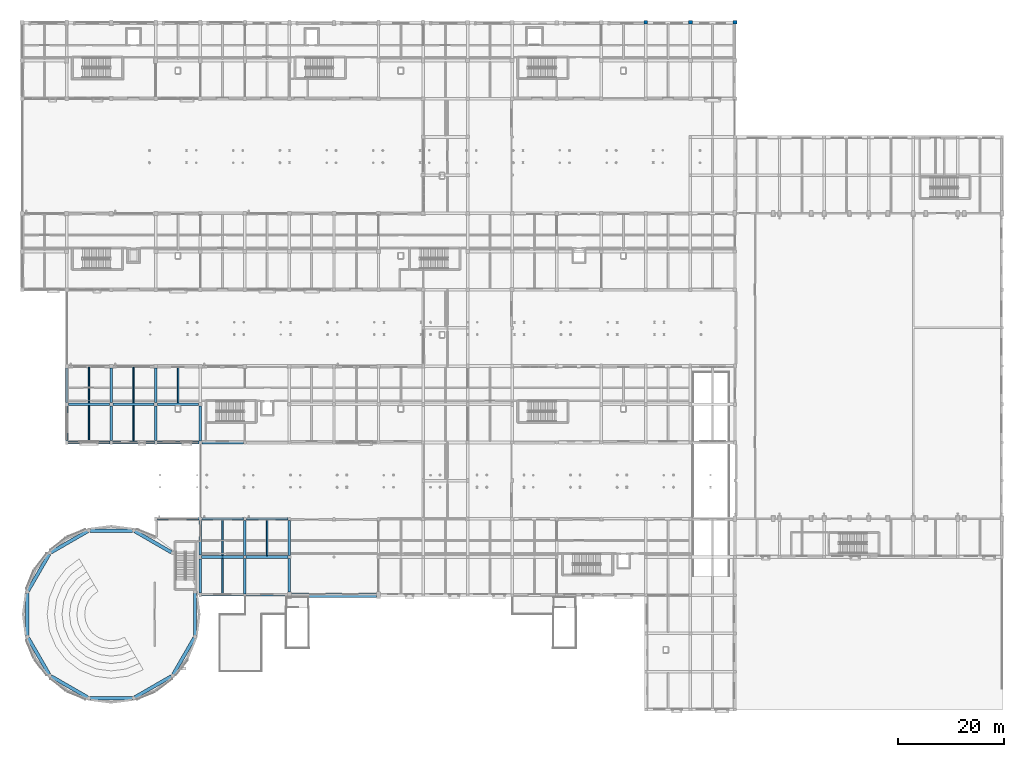
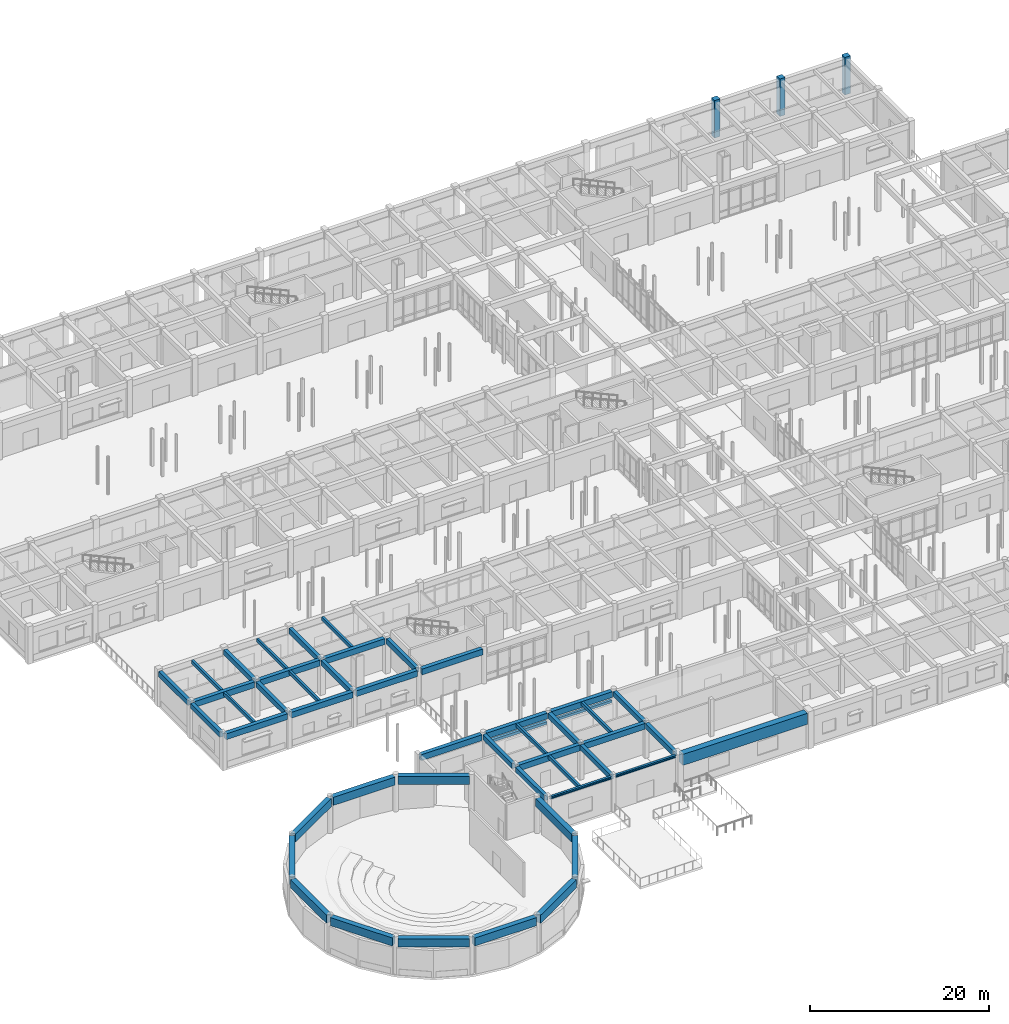
# One storey, part 35 of 121: 49 beams, 3 columns.
"""IFC4 building model written with IfcOpenShell, lengths in metres."""

from ifc_helpers import new_model, si_unit, direction, frame, origin, origin_2d, place, context, subcontext, project, spatial, rectangle, i_section, extrude, material, material_profile, profile_set, type_object, element, save


model = new_model("IFC4")

# Units and contexts
model_context = context("Model", 3, precision=1e-05, world=origin(), true_north=direction((0.0, 1.0)))
body_context = subcontext(model_context, "Body", "Model", "MODEL_VIEW")
ifc_project = project(units=[si_unit("LENGTHUNIT", "METRE"), si_unit("AREAUNIT", "SQUARE_METRE"), si_unit("VOLUMEUNIT", "CUBIC_METRE"), si_unit("PLANEANGLEUNIT", "RADIAN"), si_unit("MASSUNIT", "GRAM", prefix="KILO")], contexts=[model_context])

# Site, building, storey
site_placement = place(None, origin())
site = spatial("IfcSite", under=ifc_project, at=site_placement, CompositionType="ELEMENT")
building_placement = place(site_placement, origin())
building = spatial("IfcBuilding", under=site, at=building_placement, Name="Malvenik Polytechnic", CompositionType="ELEMENT")
storey_placement = place(building_placement, origin())
storey = spatial("IfcBuildingStorey", under=building, at=storey_placement, Name="L00", CompositionType="ELEMENT", Elevation=0.0)

# Columns
ifc_material_1 = material(Name="Concrete C40/50", Category="concrete")
ifc_material_profile_1 = material_profile(ifc_material_1, rectangle(XDim=0.699951171875, YDim=0.699951171875, at=origin_2d()), Name="RC COL 700x700")
ifc_profile_set_1 = profile_set([ifc_material_profile_1], Name="Concrete C40/50")
column_type = type_object("IfcColumnType", Name="STR-COL-C-04", PredefinedType="COLUMN", material=ifc_profile_set_1)
for number, where, z_axis, x_axis, name in (
    (1, (117.60009765625, 129.60009765625, 0.0), (0.0, 0.0, 1.0), (1.0, 0.0, 0.0), "Column C-04 L00 (117.6,129.6)"),
    (2, (126.0, 129.60009765625, 0.0), (0.0, 0.0, 1.0), (1.0, 0.0, 0.0), "Column C-04 L00 (126.0,129.6)"),
    (3, (134.39990234375, 129.60009765625, 0.0), (0.0, 0.0, 1.0), (1.0, 0.0, 0.0), "Column C-04 L00 (134.4,129.6)"),
):
    element("IfcColumn", number, at=place(storey_placement, frame(where, z_axis=z_axis, x_axis=x_axis)), inside=storey, type_object=column_type, Name=name, PredefinedType="COLUMN", context=body_context, shape_type="SweptSolid", body=[
        extrude(rectangle(XDim=0.699951171875, YDim=0.699951171875, at=origin_2d()), origin(), (0.0, 0.0, 1.0), 5.10009765625),
    ])

# Beams
ifc_material_2 = material(Name="Concrete C35/45", Category="concrete")
ifc_material_profile_2 = material_profile(ifc_material_2, rectangle(XDim=0.5, YDim=0.800048828125, at=origin_2d()), Name="RC BM 500x800")
ifc_profile_set_2 = profile_set([ifc_material_profile_2], Name="Concrete C35/45")
beam_type_1 = type_object("IfcBeamType", Name="STR-BM-B-02", PredefinedType="BEAM", material=ifc_profile_set_2)
for number, where, z_axis, x_axis, name in (
    (4, (33.847900390625, 28.800048828125, 4.419921875), (1.0, 0.0, 0.0), (0.0, 1.0, 0.0), "Primary Beam B-02 L00 #544"),
    (5, (42.248046875, 28.800048828125, 4.419921875), (1.0, 0.0, 0.0), (0.0, 1.0, 0.0), "Primary Beam B-02 L00 #545"),
):
    element("IfcBeam", number, at=place(storey_placement, frame(where, z_axis=z_axis, x_axis=x_axis)), inside=storey, type_object=beam_type_1, Name=name, PredefinedType="BEAM", context=body_context, shape_type="SweptSolid", body=[
        extrude(rectangle(XDim=0.5, YDim=0.800048828125, at=origin_2d()), origin(), (0.0, 0.0, 1.0), 7.904052734375),
    ])
beam_1_placement = place(storey_placement, frame((8.722900390625, 57.60009765625, 4.419921875), z_axis=(1.0, 0.0, 0.0), x_axis=(0.0, 1.0, 0.0)))
element("IfcBeam", 6, at=beam_1_placement, inside=storey, type_object=beam_type_1, Name="Primary Beam B-02 L00 #585", PredefinedType="BEAM", context=body_context, shape_type="SweptSolid", body=[
    extrude(rectangle(XDim=0.5, YDim=0.800048828125, at=origin_2d()), origin(), (0.0, 0.0, 1.0), 7.754150390625),
])
beam_2_placement = place(storey_placement, frame((17.123046875, 57.60009765625, 4.419921875), z_axis=(1.0, 0.0, 0.0), x_axis=(0.0, 1.0, 0.0)))
element("IfcBeam", 7, at=beam_2_placement, inside=storey, type_object=beam_type_1, Name="Primary Beam B-02 L00 #586", PredefinedType="BEAM", context=body_context, shape_type="SweptSolid", body=[
    extrude(rectangle(XDim=0.5, YDim=0.800048828125, at=origin_2d()), origin(), (0.0, 0.0, 1.0), 7.75390625),
])
beam_3_placement = place(storey_placement, frame((25.52294921875, 57.60009765625, 4.419921875), z_axis=(1.0, 0.0, 0.0), x_axis=(0.0, 1.0, 0.0)))
element("IfcBeam", 8, at=beam_3_placement, inside=storey, type_object=beam_type_1, Name="Primary Beam B-02 L00 #587", PredefinedType="BEAM", context=body_context, shape_type="SweptSolid", body=[
    extrude(rectangle(XDim=0.5, YDim=0.800048828125, at=origin_2d()), origin(), (0.0, 0.0, 1.0), 7.754150390625),
])
ifc_material_profile_3 = material_profile(ifc_material_2, rectangle(XDim=0.449951171875, YDim=0.699951171875, at=origin_2d()), Name="RC BM 450x700")
ifc_profile_set_3 = profile_set([ifc_material_profile_3], Name="Concrete C35/45")
beam_type_2 = type_object("IfcBeamType", Name="STR-BM-B-04", PredefinedType="BEAM", material=ifc_profile_set_3)
beam_4_placement = place(storey_placement, frame((8.39990234375, 50.77294921875, 4.469970703125), z_axis=(0.0, 1.0, 0.0), x_axis=(-1.0, 0.0, 0.0)))
element("IfcBeam", 9, at=beam_4_placement, inside=storey, type_object=beam_type_2, Name="Transverse Beam B-04 L00 #718", PredefinedType="BEAM", context=body_context, shape_type="SweptSolid", body=[
    extrude(rectangle(XDim=0.449951171875, YDim=0.699951171875, at=origin_2d()), origin(), (0.0, 0.0, 1.0), 6.504150390625),
])
beam_5_placement = place(storey_placement, frame((8.39990234375, 57.923095703125, 4.469970703125), z_axis=(0.0, 1.0, 0.0), x_axis=(-1.0, 0.0, 0.0)))
element("IfcBeam", 10, at=beam_5_placement, inside=storey, type_object=beam_type_2, Name="Transverse Beam B-04 L00 #719", PredefinedType="BEAM", context=body_context, shape_type="SweptSolid", body=[
    extrude(rectangle(XDim=0.449951171875, YDim=0.699951171875, at=origin_2d()), origin(), (0.0, 0.0, 1.0), 6.553955078125),
])
beam_6_placement = place(storey_placement, frame((16.800048828125, 50.77294921875, 4.469970703125), z_axis=(0.0, 1.0, 0.0), x_axis=(-1.0, 0.0, 0.0)))
element("IfcBeam", 11, at=beam_6_placement, inside=storey, type_object=beam_type_2, Name="Transverse Beam B-04 L00 #724", PredefinedType="BEAM", context=body_context, shape_type="SweptSolid", body=[
    extrude(rectangle(XDim=0.449951171875, YDim=0.699951171875, at=origin_2d()), origin(), (0.0, 0.0, 1.0), 6.504150390625),
])
beam_7_placement = place(storey_placement, frame((16.800048828125, 57.923095703125, 4.469970703125), z_axis=(0.0, 1.0, 0.0), x_axis=(-1.0, 0.0, 0.0)))
element("IfcBeam", 12, at=beam_7_placement, inside=storey, type_object=beam_type_2, Name="Transverse Beam B-04 L00 #725", PredefinedType="BEAM", context=body_context, shape_type="SweptSolid", body=[
    extrude(rectangle(XDim=0.449951171875, YDim=0.699951171875, at=origin_2d()), origin(), (0.0, 0.0, 1.0), 6.553955078125),
])
beam_8_placement = place(storey_placement, frame((25.199951171875, 50.77294921875, 4.469970703125), z_axis=(0.0, 1.0, 0.0), x_axis=(-1.0, 0.0, 0.0)))
element("IfcBeam", 13, at=beam_8_placement, inside=storey, type_object=beam_type_2, Name="Transverse Beam B-04 L00 #726", PredefinedType="BEAM", context=body_context, shape_type="SweptSolid", body=[
    extrude(rectangle(XDim=0.449951171875, YDim=0.699951171875, at=origin_2d()), origin(), (0.0, 0.0, 1.0), 6.504150390625),
])
beam_9_placement = place(storey_placement, frame((25.199951171875, 57.923095703125, 4.469970703125), z_axis=(0.0, 1.0, 0.0), x_axis=(-1.0, 0.0, 0.0)))
element("IfcBeam", 14, at=beam_9_placement, inside=storey, type_object=beam_type_2, Name="Transverse Beam B-04 L00 #727", PredefinedType="BEAM", context=body_context, shape_type="SweptSolid", body=[
    extrude(rectangle(XDim=0.449951171875, YDim=0.699951171875, at=origin_2d()), origin(), (0.0, 0.0, 1.0), 6.553955078125),
])
beam_10_placement = place(storey_placement, frame((33.60009765625, 21.972900390625, 4.469970703125), z_axis=(0.0, 1.0, 0.0), x_axis=(-1.0, 0.0, 0.0)))
element("IfcBeam", 15, at=beam_10_placement, inside=storey, type_object=beam_type_2, Name="Transverse Beam B-04 L00 #732", PredefinedType="BEAM", context=body_context, shape_type="SweptSolid", body=[
    extrude(rectangle(XDim=0.449951171875, YDim=0.699951171875, at=origin_2d()), origin(), (0.0, 0.0, 1.0), 6.4541015625),
])
beam_11_placement = place(storey_placement, frame((33.60009765625, 29.173095703125, 4.469970703125), z_axis=(0.0, 1.0, 0.0), x_axis=(-1.0, 0.0, 0.0)))
element("IfcBeam", 16, at=beam_11_placement, inside=storey, type_object=beam_type_2, Name="Transverse Beam B-04 L00 #733", PredefinedType="BEAM", context=body_context, shape_type="SweptSolid", body=[
    extrude(rectangle(XDim=0.449951171875, YDim=0.699951171875, at=origin_2d()), origin(), (0.0, 0.0, 1.0), 6.52880859375),
])
beam_12_placement = place(storey_placement, frame((33.60009765625, 50.697998046875, 4.469970703125), z_axis=(0.0, 1.0, 0.0), x_axis=(-1.0, 0.0, 0.0)))
element("IfcBeam", 17, at=beam_12_placement, inside=storey, type_object=beam_type_2, Name="Transverse Beam B-04 L00 #734", PredefinedType="BEAM", context=body_context, shape_type="SweptSolid", body=[
    extrude(rectangle(XDim=0.449951171875, YDim=0.699951171875, at=origin_2d()), origin(), (0.0, 0.0, 1.0), 6.5791015625),
])
beam_13_placement = place(storey_placement, frame((42.0, 21.847900390625, 4.469970703125), z_axis=(0.0, 1.0, 0.0), x_axis=(-1.0, 0.0, 0.0)))
element("IfcBeam", 18, at=beam_13_placement, inside=storey, type_object=beam_type_2, Name="Transverse Beam B-04 L00 #740", PredefinedType="BEAM", context=body_context, shape_type="SweptSolid", body=[
    extrude(rectangle(XDim=0.449951171875, YDim=0.699951171875, at=origin_2d()), origin(), (0.0, 0.0, 1.0), 6.7041015625),
])
beam_14_placement = place(storey_placement, frame((42.0, 29.048095703125, 4.469970703125), z_axis=(0.0, 1.0, 0.0), x_axis=(-1.0, 0.0, 0.0)))
element("IfcBeam", 19, at=beam_14_placement, inside=storey, type_object=beam_type_2, Name="Transverse Beam B-04 L00 #741", PredefinedType="BEAM", context=body_context, shape_type="SweptSolid", body=[
    extrude(rectangle(XDim=0.449951171875, YDim=0.699951171875, at=origin_2d()), origin(), (0.0, 0.0, 1.0), 6.65380859375),
])
beam_15_placement = place(storey_placement, frame((50.39990234375, 22.197998046875, 4.469970703125), z_axis=(0.0, 1.0, 0.0), x_axis=(-1.0, 0.0, 0.0)))
element("IfcBeam", 20, at=beam_15_placement, inside=storey, type_object=beam_type_2, Name="Transverse Beam B-04 L00 #746", PredefinedType="BEAM", context=body_context, shape_type="SweptSolid", body=[
    extrude(rectangle(XDim=0.449951171875, YDim=0.699951171875, at=origin_2d()), origin(), (0.0, 0.0, 1.0), 6.35400390625),
])
beam_16_placement = place(storey_placement, frame((50.39990234375, 29.048095703125, 4.469970703125), z_axis=(0.0, 1.0, 0.0), x_axis=(-1.0, 0.0, 0.0)))
element("IfcBeam", 21, at=beam_16_placement, inside=storey, type_object=beam_type_2, Name="Transverse Beam B-04 L00 #747", PredefinedType="BEAM", context=body_context, shape_type="SweptSolid", body=[
    extrude(rectangle(XDim=0.449951171875, YDim=0.699951171875, at=origin_2d()), origin(), (0.0, 0.0, 1.0), 6.65380859375),
])
ifc_material_3 = material(Name="Concrete C30/37", Category="concrete")
ifc_material_profile_4 = material_profile(ifc_material_3, rectangle(XDim=0.280029296875, YDim=0.47998046875, at=origin_2d()), Name="RC JST 280x480")
ifc_profile_set_4 = profile_set([ifc_material_profile_4], Name="Concrete C30/37")
beam_type_3 = type_object("IfcBeamType", Name="STR-BM-J-01", PredefinedType="JOIST", material=ifc_profile_set_4)
for number, where, z_axis, x_axis, name in (
    (22, (12.60009765625, 50.657958984375, 4.580078125), (0.0, 1.0, 0.0), (-1.0, 0.0, 0.0), "Secondary Rib Joist J-01 L00 #869"),
    (23, (12.60009765625, 57.847900390625, 4.580078125), (0.0, 1.0, 0.0), (-1.0, 0.0, 0.0), "Secondary Rib Joist J-01 L00 #870"),
    (24, (21.0, 50.657958984375, 4.580078125), (0.0, 1.0, 0.0), (-1.0, 0.0, 0.0), "Secondary Rib Joist J-01 L00 #871"),
    (25, (21.0, 57.847900390625, 4.580078125), (0.0, 1.0, 0.0), (-1.0, 0.0, 0.0), "Secondary Rib Joist J-01 L00 #872"),
    (26, (29.39990234375, 57.847900390625, 4.580078125), (0.0, 1.0, 0.0), (-1.0, 0.0, 0.0), "Secondary Rib Joist J-01 L00 #873"),
):
    element("IfcBeam", number, at=place(storey_placement, frame(where, z_axis=z_axis, x_axis=x_axis)), inside=storey, type_object=beam_type_3, Name=name, PredefinedType="JOIST", context=body_context, shape_type="SweptSolid", body=[
        extrude(rectangle(XDim=0.280029296875, YDim=0.47998046875, at=origin_2d()), origin(), (0.0, 0.0, 1.0), 6.694091796875),
    ])
beam_17_placement = place(storey_placement, frame((37.800048828125, 21.748046875, 4.580078125), z_axis=(0.0, 1.0, 0.0), x_axis=(-1.0, 0.0, 0.0)))
element("IfcBeam", 27, at=beam_17_placement, inside=storey, type_object=beam_type_3, Name="Secondary Rib Joist J-01 L00 #876", PredefinedType="JOIST", context=body_context, shape_type="SweptSolid", body=[
    extrude(rectangle(XDim=0.280029296875, YDim=0.47998046875, at=origin_2d()), origin(), (0.0, 0.0, 1.0), 6.803955078125),
])
for number, where, z_axis, x_axis, name in (
    (28, (37.800048828125, 29.048095703125, 4.580078125), (0.0, 1.0, 0.0), (-1.0, 0.0, 0.0), "Secondary Rib Joist J-01 L00 #877"),
    (29, (46.199951171875, 29.048095703125, 4.580078125), (0.0, 1.0, 0.0), (-1.0, 0.0, 0.0), "Secondary Rib Joist J-01 L00 #882"),
):
    element("IfcBeam", number, at=place(storey_placement, frame(where, z_axis=z_axis, x_axis=x_axis)), inside=storey, type_object=beam_type_3, Name=name, PredefinedType="JOIST", context=body_context, shape_type="SweptSolid", body=[
        extrude(rectangle(XDim=0.280029296875, YDim=0.47998046875, at=origin_2d()), origin(), (0.0, 0.0, 1.0), 6.69384765625),
    ])
ifc_material_4 = material(Name="Precast concrete C40/50", Category="concrete")
ifc_material_profile_5 = material_profile(ifc_material_4, rectangle(XDim=0.35009765625, YDim=0.35009765625, at=origin_2d()), Name="PC LNT 350x350")
ifc_profile_set_5 = profile_set([ifc_material_profile_5], Name="Precast concrete C40/50")
beam_type_4 = type_object("IfcBeamType", Name="STR-BM-LN-01", PredefinedType="LINTEL", material=ifc_profile_set_5)
beam_18_placement = place(storey_placement, frame((33.89501953125, 36.0, 3.425048828125), z_axis=(1.0, 0.0, 0.0), x_axis=(0.0, 1.0, 0.0)))
element("IfcBeam", 30, at=beam_18_placement, inside=storey, type_object=beam_type_4, Name="Colonnade Transom Lintel LN-01 #1", PredefinedType="LINTEL", context=body_context, shape_type="SweptSolid", body=[
    extrude(rectangle(XDim=0.35009765625, YDim=0.35009765625, at=origin_2d()), origin(), (0.0, 0.0, 1.0), 7.81005859375),
])
ifc_material_profile_6 = material_profile(ifc_material_4, rectangle(XDim=0.300048828125, YDim=0.320068359375, at=origin_2d()), Name="PC LNT 300x320")
ifc_profile_set_6 = profile_set([ifc_material_profile_6], Name="Precast concrete C40/50")
beam_type_5 = type_object("IfcBeamType", Name="STR-BM-LN-02", PredefinedType="LINTEL", material=ifc_profile_set_6)
beam_19_placement = place(storey_placement, frame((42.294921875, 36.0, 3.409912109375), z_axis=(1.0, 0.0, 0.0), x_axis=(0.0, 1.0, 0.0)))
element("IfcBeam", 31, at=beam_19_placement, inside=storey, type_object=beam_type_5, Name="Colonnade Transom Lintel LN-02 #2", PredefinedType="LINTEL", context=body_context, shape_type="SweptSolid", body=[
    extrude(rectangle(XDim=0.300048828125, YDim=0.320068359375, at=origin_2d()), origin(), (0.0, 0.0, 1.0), 7.81005859375),
])
ifc_material_profile_7 = material_profile(ifc_material_1, rectangle(XDim=0.64990234375, YDim=1.10009765625, at=origin_2d()), Name="RC RG 650x1100")
ifc_profile_set_7 = profile_set([ifc_material_profile_7], Name="Concrete C40/50")
beam_type_6 = type_object("IfcBeamType", Name="STR-BM-RG-01", PredefinedType="BEAM", material=ifc_profile_set_7)
beam_20_placement = place(storey_placement, frame((28.1533203125, 29.680908203125, 4.27001953125), z_axis=(-0.865991037897, 0.50005951874, 0.0), x_axis=(-0.50005951874, -0.865991037897, 0.0)))
element("IfcBeam", 32, at=beam_20_placement, inside=storey, type_object=beam_type_6, Name="Rotunda Ring Girder RG-01 L00-2", PredefinedType="BEAM", context=body_context, shape_type="SweptSolid", body=[
    extrude(rectangle(XDim=0.64990234375, YDim=1.10009765625, at=origin_2d()), origin(), (0.0, 0.0, 1.0), 7.9833984375),
])
beam_21_placement = place(storey_placement, frame((20.7919921875, 33.79296875, 4.27001953125), z_axis=(-1.0, 0.0, 0.0), x_axis=(0.0, -1.0, 0.0)))
element("IfcBeam", 33, at=beam_21_placement, inside=storey, type_object=beam_type_6, Name="Rotunda Ring Girder RG-01 L00-3", PredefinedType="BEAM", context=body_context, shape_type="SweptSolid", body=[
    extrude(rectangle(XDim=0.64990234375, YDim=1.10009765625, at=origin_2d()), origin(), (0.0, 0.0, 1.0), 7.98388671875),
])
beam_22_placement = place(storey_placement, frame((12.360107421875, 33.673095703125, 4.27001953125), z_axis=(-0.865983390538, -0.500072762018, 0.0), x_axis=(0.500072762018, -0.865983390538, 0.0)))
element("IfcBeam", 34, at=beam_22_placement, inside=storey, type_object=beam_type_6, Name="Rotunda Ring Girder RG-01 L00-4", PredefinedType="BEAM", context=body_context, shape_type="SweptSolid", body=[
    extrude(rectangle(XDim=0.64990234375, YDim=1.10009765625, at=origin_2d()), origin(), (0.0, 0.0, 1.0), 7.983154296875),
])
beam_23_placement = place(storey_placement, frame((5.118896484375, 29.353271484375, 4.27001953125), z_axis=(-0.50003658433, -0.866004280781, 0.0), x_axis=(0.866004280781, -0.50003658433, 0.0)))
element("IfcBeam", 35, at=beam_23_placement, inside=storey, type_object=beam_type_6, Name="Rotunda Ring Girder RG-01 L00-5", PredefinedType="BEAM", context=body_context, shape_type="SweptSolid", body=[
    extrude(rectangle(XDim=0.64990234375, YDim=1.10009765625, at=origin_2d()), origin(), (0.0, 0.0, 1.0), 7.9833984375),
])
beam_24_placement = place(storey_placement, frame((1.007080078125, 21.991943359375, 4.27001953125), z_axis=(0.0, -1.0, 0.0), x_axis=(1.0, 0.0, 0.0)))
element("IfcBeam", 36, at=beam_24_placement, inside=storey, type_object=beam_type_6, Name="Rotunda Ring Girder RG-01 L00-6", PredefinedType="BEAM", context=body_context, shape_type="SweptSolid", body=[
    extrude(rectangle(XDim=0.64990234375, YDim=1.10009765625, at=origin_2d()), origin(), (0.0, 0.0, 1.0), 7.98388671875),
])
beam_25_placement = place(storey_placement, frame((1.126953125, 13.560302734375, 4.27001953125), z_axis=(0.50003658433, -0.866004280781, 0.0), x_axis=(0.866004280781, 0.50003658433, 0.0)))
element("IfcBeam", 37, at=beam_25_placement, inside=storey, type_object=beam_type_6, Name="Rotunda Ring Girder RG-01 L00-7", PredefinedType="BEAM", context=body_context, shape_type="SweptSolid", body=[
    extrude(rectangle(XDim=0.64990234375, YDim=1.10009765625, at=origin_2d()), origin(), (0.0, 0.0, 1.0), 7.9833984375),
])
beam_26_placement = place(storey_placement, frame((5.44677734375, 6.319091796875, 4.27001953125), z_axis=(0.865983390538, -0.500072762018, 0.0), x_axis=(0.500072762018, 0.865983390538, 0.0)))
element("IfcBeam", 38, at=beam_26_placement, inside=storey, type_object=beam_type_6, Name="Rotunda Ring Girder RG-01 L00-8", PredefinedType="BEAM", context=body_context, shape_type="SweptSolid", body=[
    extrude(rectangle(XDim=0.64990234375, YDim=1.10009765625, at=origin_2d()), origin(), (0.0, 0.0, 1.0), 7.983154296875),
])
beam_27_placement = place(storey_placement, frame((12.80810546875, 2.20703125, 4.27001953125), z_axis=(1.0, 0.0, 0.0), x_axis=(0.0, 1.0, 0.0)))
element("IfcBeam", 39, at=beam_27_placement, inside=storey, type_object=beam_type_6, Name="Rotunda Ring Girder RG-01 L00-9", PredefinedType="BEAM", context=body_context, shape_type="SweptSolid", body=[
    extrude(rectangle(XDim=0.64990234375, YDim=1.10009765625, at=origin_2d()), origin(), (0.0, 0.0, 1.0), 7.98388671875),
])
for number, where, z_axis, x_axis, name in (
    (40, (21.23974609375, 2.326904296875, 4.27001953125), (0.865991037897, 0.50005951874, 0.0), (-0.50005951874, 0.865991037897, 0.0), "Rotunda Ring Girder RG-01 L00-10"),
    (41, (28.48095703125, 6.646728515625, 4.27001953125), (0.50003658433, 0.866004280781, 0.0), (-0.866004280781, 0.50003658433, 0.0), "Rotunda Ring Girder RG-01 L00-11"),
):
    element("IfcBeam", number, at=place(storey_placement, frame(where, z_axis=z_axis, x_axis=x_axis)), inside=storey, type_object=beam_type_6, Name=name, PredefinedType="BEAM", context=body_context, shape_type="SweptSolid", body=[
        extrude(rectangle(XDim=0.64990234375, YDim=1.10009765625, at=origin_2d()), origin(), (0.0, 0.0, 1.0), 7.9833984375),
    ])
beam_28_placement = place(storey_placement, frame((32.593017578125, 14.008056640625, 4.27001953125), z_axis=(0.0, 1.0, 0.0), x_axis=(-1.0, 0.0, 0.0)))
element("IfcBeam", 42, at=beam_28_placement, inside=storey, type_object=beam_type_6, Name="Rotunda Ring Girder RG-01 L00-12", PredefinedType="BEAM", context=body_context, shape_type="SweptSolid", body=[
    extrude(rectangle(XDim=0.64990234375, YDim=1.10009765625, at=origin_2d()), origin(), (0.0, 0.0, 1.0), 7.98388671875),
])
ifc_material_5 = material(Name="Steel S355", Category="steel")
ifc_material_profile_8 = material_profile(ifc_material_5, i_section(OverallWidth=0.300048828125, OverallDepth=0.330078125, WebThickness=0.009521484375, FlangeThickness=0.0166015625, FilletRadius=0.027099609375, at=origin_2d()), Name="HEA 340")
ifc_profile_set_8 = profile_set([ifc_material_profile_8], Name="Steel S355")
beam_type_7 = type_object("IfcBeamType", Name="STR-BM-SB-06", PredefinedType="BEAM", material=ifc_profile_set_8)
beam_29_placement = place(storey_placement, frame((33.847900390625, 21.60009765625, 4.64306640625), z_axis=(1.0, 0.0, 0.0), x_axis=(0.0, 1.0, 0.0)))
element("IfcBeam", 43, at=beam_29_placement, inside=storey, type_object=beam_type_7, Name="Beam SB-06 #1", PredefinedType="BEAM", context=body_context, shape_type="SweptSolid", body=[
    extrude(i_section(OverallWidth=0.300048828125, OverallDepth=0.330078125, WebThickness=0.009521484375, FlangeThickness=0.0166015625, FilletRadius=0.027099609375, at=origin_2d()), origin(), (0.0, 0.0, 1.0), 7.904052734375),
])
beam_30_placement = place(storey_placement, frame((42.248046875, 21.60009765625, 4.64306640625), z_axis=(1.0, 0.0, 0.0), x_axis=(0.0, 1.0, 0.0)))
element("IfcBeam", 44, at=beam_30_placement, inside=storey, type_object=beam_type_7, Name="Beam SB-06 #2", PredefinedType="BEAM", context=body_context, shape_type="SweptSolid", body=[
    extrude(i_section(OverallWidth=0.300048828125, OverallDepth=0.330078125, WebThickness=0.009521484375, FlangeThickness=0.0166015625, FilletRadius=0.027099609375, at=origin_2d()), origin(), (0.0, 0.0, 1.0), 7.803955078125),
])
ifc_material_profile_9 = material_profile(ifc_material_4, rectangle(XDim=0.52001953125, YDim=0.800048828125, at=origin_2d()), Name="PC SPN 520x800")
ifc_profile_set_9 = profile_set([ifc_material_profile_9], Name="Precast concrete C40/50")
beam_type_8 = type_object("IfcBeamType", Name="STR-BM-SP-01", PredefinedType="SPANDREL", material=ifc_profile_set_9)
beam_31_placement = place(storey_placement, frame((25.447998046875, 36.0, 4.419921875), z_axis=(1.0, 0.0, 0.0), x_axis=(0.0, 1.0, 0.0)))
element("IfcBeam", 45, at=beam_31_placement, inside=storey, type_object=beam_type_8, Name="Primary Beam SP-01 L00 #558", PredefinedType="SPANDREL", context=body_context, shape_type="SweptSolid", body=[
    extrude(rectangle(XDim=0.52001953125, YDim=0.800048828125, at=origin_2d()), origin(), (0.0, 0.0, 1.0), 7.85400390625),
])
for number, where, z_axis, x_axis, name in (
    (46, (33.89794921875, 36.0, 4.419921875), (1.0, 0.0, 0.0), (0.0, 1.0, 0.0), "Primary Beam SP-01 L00 #559"),
    (47, (42.298095703125, 36.0, 4.419921875), (1.0, 0.0, 0.0), (0.0, 1.0, 0.0), "Primary Beam SP-01 L00 #560"),
):
    element("IfcBeam", number, at=place(storey_placement, frame(where, z_axis=z_axis, x_axis=x_axis)), inside=storey, type_object=beam_type_8, Name=name, PredefinedType="SPANDREL", context=body_context, shape_type="SweptSolid", body=[
        extrude(rectangle(XDim=0.52001953125, YDim=0.800048828125, at=origin_2d()), origin(), (0.0, 0.0, 1.0), 7.803955078125),
    ])
beam_32_placement = place(storey_placement, frame((8.64794921875, 50.39990234375, 4.419921875), z_axis=(1.0, 0.0, 0.0), x_axis=(0.0, 1.0, 0.0)))
element("IfcBeam", 48, at=beam_32_placement, inside=storey, type_object=beam_type_8, Name="Primary Beam SP-01 L00 #570", PredefinedType="SPANDREL", context=body_context, shape_type="SweptSolid", body=[
    extrude(rectangle(XDim=0.52001953125, YDim=0.800048828125, at=origin_2d()), origin(), (0.0, 0.0, 1.0), 7.904052734375),
])
beam_33_placement = place(storey_placement, frame((17.048095703125, 50.39990234375, 4.419921875), z_axis=(1.0, 0.0, 0.0), x_axis=(0.0, 1.0, 0.0)))
element("IfcBeam", 49, at=beam_33_placement, inside=storey, type_object=beam_type_8, Name="Primary Beam SP-01 L00 #571", PredefinedType="SPANDREL", context=body_context, shape_type="SweptSolid", body=[
    extrude(rectangle(XDim=0.52001953125, YDim=0.800048828125, at=origin_2d()), origin(), (0.0, 0.0, 1.0), 7.90380859375),
])
beam_34_placement = place(storey_placement, frame((25.447998046875, 50.39990234375, 4.419921875), z_axis=(1.0, 0.0, 0.0), x_axis=(0.0, 1.0, 0.0)))
element("IfcBeam", 50, at=beam_34_placement, inside=storey, type_object=beam_type_8, Name="Primary Beam SP-01 L00 #572", PredefinedType="SPANDREL", context=body_context, shape_type="SweptSolid", body=[
    extrude(rectangle(XDim=0.52001953125, YDim=0.800048828125, at=origin_2d()), origin(), (0.0, 0.0, 1.0), 7.85400390625),
])
beam_35_placement = place(storey_placement, frame((33.89794921875, 50.39990234375, 4.419921875), z_axis=(1.0, 0.0, 0.0), x_axis=(0.0, 1.0, 0.0)))
element("IfcBeam", 51, at=beam_35_placement, inside=storey, type_object=beam_type_8, Name="Primary Beam SP-01 L00 #573", PredefinedType="SPANDREL", context=body_context, shape_type="SweptSolid", body=[
    extrude(rectangle(XDim=0.52001953125, YDim=0.800048828125, at=origin_2d()), origin(), (0.0, 0.0, 1.0), 7.803955078125),
])
ifc_material_profile_10 = material_profile(ifc_material_1, rectangle(XDim=0.800048828125, YDim=1.5, at=origin_2d()), Name="RC TG 800x1500")
ifc_profile_set_10 = profile_set([ifc_material_profile_10], Name="Concrete C40/50")
beam_type_9 = type_object("IfcBeamType", Name="STR-BM-TG-01", PredefinedType="BEAM", material=ifc_profile_set_10)
beam_36_placement = place(storey_placement, frame((50.748046875, 21.60009765625, 4.070068359375), z_axis=(1.0, 0.0, 0.0), x_axis=(0.0, 1.0, 0.0)))
element("IfcBeam", 52, at=beam_36_placement, inside=storey, type_object=beam_type_9, Name="Portal Transfer Girder TG-01 L00", PredefinedType="BEAM", context=body_context, shape_type="SweptSolid", body=[
    extrude(rectangle(XDim=0.800048828125, YDim=1.5, at=origin_2d()), origin(), (0.0, 0.0, 1.0), 16.10400390625),
])

save(model, "model.ifc")
